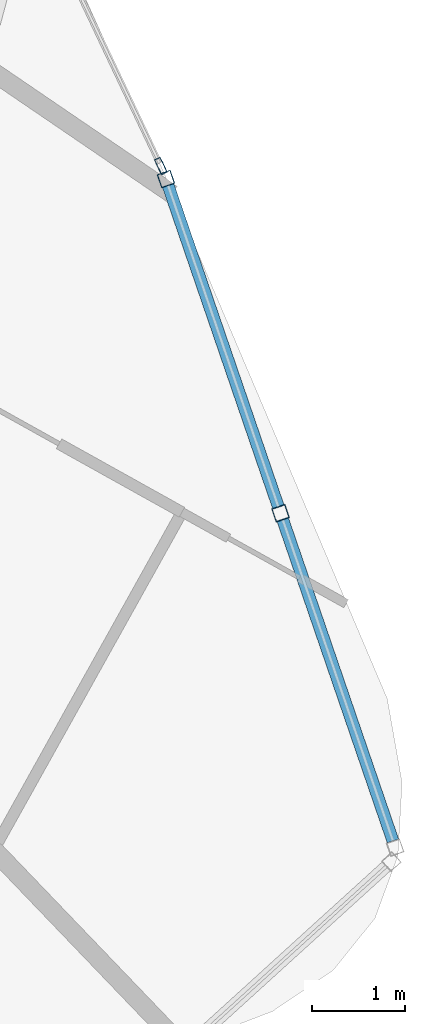
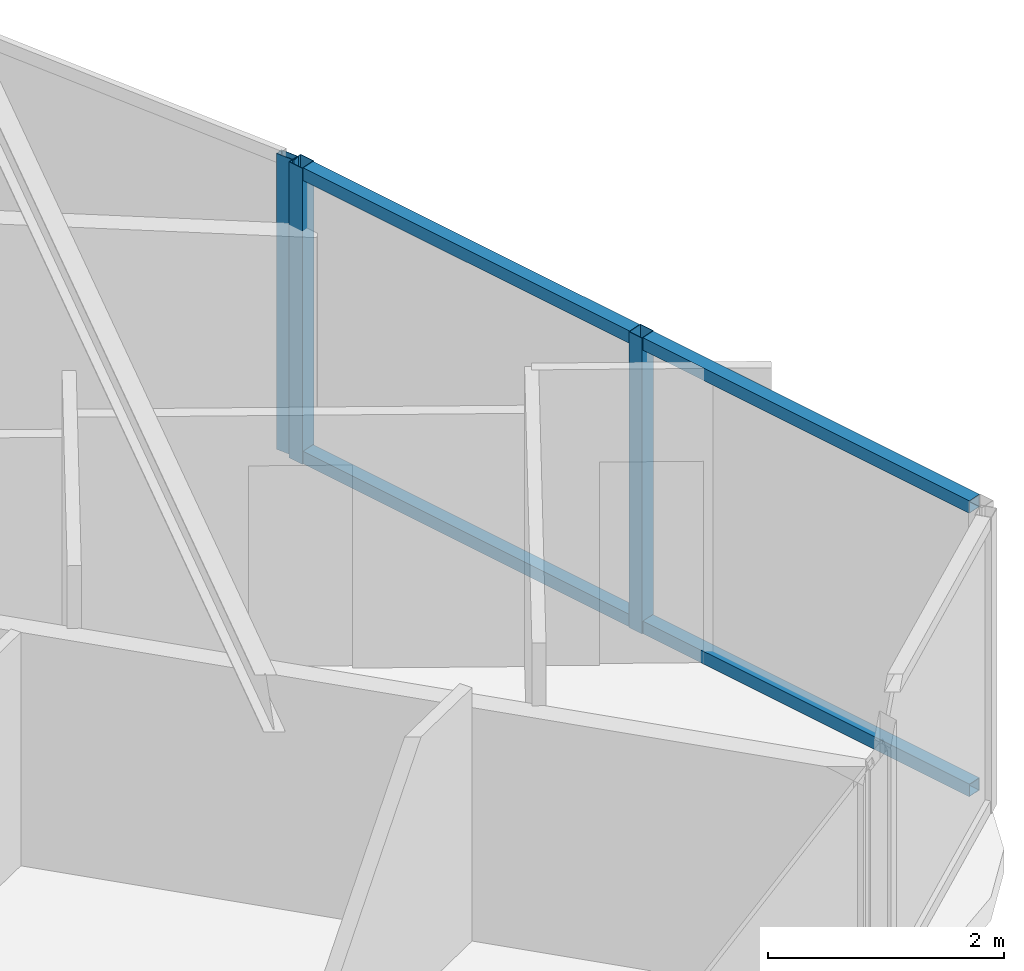
# One storey, part 16 of 34: 7 members, 2 elements without a shape of their own.
"""IFC4 building model written with IfcOpenShell, lengths in metres."""

from ifc_helpers import new_model, si_unit, direction, frame, origin, origin_2d, place, context, subcontext, project, spatial, hollow_rectangle, extrude, material, layer, layer_set, material_profile, profile_set, type_object, element, aggregate, save


model = new_model("IFC4")

# Units and contexts
model_context = context("Model", 3, precision=1e-05, world=origin(), true_north=direction((0.0, 1.0)))
body_context = subcontext(model_context, "Body", "Model", "MODEL_VIEW")
ifc_project = project(units=[si_unit("LENGTHUNIT", "METRE"), si_unit("AREAUNIT", "SQUARE_METRE"), si_unit("VOLUMEUNIT", "CUBIC_METRE"), si_unit("PLANEANGLEUNIT", "RADIAN"), si_unit("MASSUNIT", "GRAM", prefix="KILO")], contexts=[model_context])

# Site, building, storey
site_placement = place(None, origin())
site = spatial("IfcSite", under=ifc_project, at=site_placement, CompositionType="ELEMENT")
building_placement = place(site_placement, origin())
building = spatial("IfcBuilding", under=site, at=building_placement, Name="Orvanel Arch Residences", CompositionType="ELEMENT")
storey_placement = place(building_placement, frame((0.0, 0.0, 77.449951171875)))
storey = spatial("IfcBuildingStorey", under=building, at=storey_placement, Name="L21", CompositionType="ELEMENT", Elevation=77.449951171875)

# Curtain wall, members
ifc_material = material(Name="Bronze-anodised aluminium AA6063-T6", Category="aluminium")
ifc_layer_1 = layer(ifc_material, 0.18994140625)
ifc_layer_set_1 = layer_set([ifc_layer_1], Name="Bronze-anodised aluminium AA6063-T6")
curtain_wall_type_1 = type_object("IfcCurtainWallType", Name="CW5-CRN-SYS", PredefinedType="NOTDEFINED", material=ifc_layer_set_1)
curtain_wall_1_placement = place(storey_placement, origin())
curtain_wall_1 = element("IfcCurtainWall", 1, at=curtain_wall_1_placement, inside=storey, type_object=curtain_wall_type_1, Name="L21 CW5-CRN-SYS Unitised Curtain Wall", PredefinedType="NOTDEFINED")
ifc_material_profile_1 = material_profile(ifc_material, hollow_rectangle(XDim=0.14990234375, YDim=0.14990234375, WallThickness=0.0048828125, at=origin_2d()), Name="ALU150x150x5")
ifc_profile_set_1 = profile_set([ifc_material_profile_1], Name="Bronze-anodised aluminium AA6063-T6")
member_type_1 = type_object("IfcMemberType", Name="MUL-150x150", PredefinedType="MULLION", material=ifc_profile_set_1)
member_1_placement = place(storey_placement, frame((59.3359375, 9.900390625, 0.0), z_axis=(0.0, 0.0, 1.0), x_axis=(-0.945912167236, -0.324422828844, 0.0)))
member_1 = element("IfcMember", 2, at=member_1_placement, type_object=member_type_1, Name="CW-S5 mullion 2", PredefinedType="MULLION", context=body_context, shape_type="SweptSolid", body=[
    extrude(hollow_rectangle(XDim=0.14990234375, YDim=0.14990234375, WallThickness=0.0048828125, at=origin_2d()), origin(), (0.0, 0.0, 1.0), 3.06005859375),
])
member_2_placement = place(storey_placement, frame((58.097412109375, 13.511962890625, 0.0), z_axis=(0.0, 0.0, 1.0), x_axis=(-0.945912167236, -0.324422828844, 0.0)))
member_2 = element("IfcMember", 3, at=member_2_placement, type_object=member_type_1, Name="CW-S5 mullion 3", PredefinedType="MULLION", context=body_context, shape_type="SweptSolid", body=[
    extrude(hollow_rectangle(XDim=0.14990234375, YDim=0.14990234375, WallThickness=0.0048828125, at=origin_2d()), origin(), (0.0, 0.0, 1.0), 3.06005859375),
])

# Curtain wall, member
ifc_layer_2 = layer(ifc_material, 0.179931640625)
ifc_layer_set_2 = layer_set([ifc_layer_2], Name="Bronze-anodised aluminium AA6063-T6")
curtain_wall_type_2 = type_object("IfcCurtainWallType", Name="CW2-LOW-SYS", PredefinedType="NOTDEFINED", material=ifc_layer_set_2)
curtain_wall_2_placement = place(storey_placement, origin())
curtain_wall_2 = element("IfcCurtainWall", 4, at=curtain_wall_2_placement, inside=storey, type_object=curtain_wall_type_2, Name="L21 CW2-LOW-SYS Unitised Curtain Wall", PredefinedType="NOTDEFINED")
ifc_material_profile_2 = material_profile(ifc_material, hollow_rectangle(XDim=0.070068359375, YDim=0.179931640625, WallThickness=0.00439453125, at=origin_2d()), Name="ALU180x70x4.5")
ifc_profile_set_2 = profile_set([ifc_material_profile_2], Name="Bronze-anodised aluminium AA6063-T6")
member_type_2 = type_object("IfcMemberType", Name="MUL-180x70", PredefinedType="MULLION", material=ifc_profile_set_2)
member_3_placement = place(storey_placement, frame((58.04296875, 13.651611328125, 0.0), z_axis=(0.0, 0.0, 1.0), x_axis=(-0.903971140213, -0.427593472426, 0.0)))
member_3 = element("IfcMember", 5, at=member_3_placement, type_object=member_type_2, Name="CW-S2 mullion 1", PredefinedType="MULLION", context=body_context, shape_type="SweptSolid", body=[
    extrude(hollow_rectangle(XDim=0.070068359375, YDim=0.179931640625, WallThickness=0.00439453125, at=origin_2d()), origin(), (0.0, 0.0, 1.0), 3.06005859375),
])
aggregate(curtain_wall_2, [member_3])

# Member
ifc_material_profile_3 = material_profile(ifc_material, hollow_rectangle(XDim=0.1298828125, YDim=0.1298828125, WallThickness=0.00439453125, at=origin_2d()), Name="ALU130x130x4.5")
ifc_profile_set_3 = profile_set([ifc_material_profile_3], Name="Bronze-anodised aluminium AA6063-T6")
member_type_3 = type_object("IfcMemberType", Name="TRN-130x130", PredefinedType="USERDEFINED", material=ifc_profile_set_3)
member_4_placement = place(storey_placement, frame((60.55029296875, 6.35986328125, 0.06494140625), z_axis=(-0.324402597881, 0.945919105679, 0.0), x_axis=(-0.945919105679, -0.324402597881, 0.0)))
member_4 = element("IfcMember", 6, at=member_4_placement, type_object=member_type_3, Name="CW-S5 transom 1.1", ObjectType="TRANSOM", PredefinedType="USERDEFINED", context=body_context, shape_type="SweptSolid", body=[
    extrude(hollow_rectangle(XDim=0.1298828125, YDim=0.1298828125, WallThickness=0.00439453125, at=origin_2d()), origin(), (0.0, 0.0, 1.0), 3.668212890625),
])

member_5_placement = place(storey_placement, frame((60.55029296875, 6.35986328125, 2.9951171875), z_axis=(-0.324402597881, 0.945919105679, 0.0), x_axis=(-0.945919105679, -0.324402597881, 0.0)))
member_5 = element("IfcMember", 7, at=member_5_placement, type_object=member_type_3, Name="CW-S5 transom 1.2", ObjectType="TRANSOM", PredefinedType="USERDEFINED", context=body_context, shape_type="SweptSolid", body=[
    extrude(hollow_rectangle(XDim=0.1298828125, YDim=0.1298828125, WallThickness=0.00439453125, at=origin_2d()), origin(), (0.0, 0.0, 1.0), 3.668212890625),
])

member_6_placement = place(storey_placement, frame((59.311767578125, 9.971435546875, 0.06494140625), z_axis=(-0.324462149384, 0.945898680418, 0.0), x_axis=(-0.945898680418, -0.324462149384, 0.0)))
member_6 = element("IfcMember", 8, at=member_6_placement, type_object=member_type_3, Name="CW-S5 transom 2.1", ObjectType="TRANSOM", PredefinedType="USERDEFINED", context=body_context, shape_type="SweptSolid", body=[
    extrude(hollow_rectangle(XDim=0.1298828125, YDim=0.1298828125, WallThickness=0.00439453125, at=origin_2d()), origin(), (0.0, 0.0, 1.0), 3.668212890625),
])

member_7_placement = place(storey_placement, frame((59.311767578125, 9.971435546875, 2.9951171875), z_axis=(-0.324462149384, 0.945898680418, 0.0), x_axis=(-0.945898680418, -0.324462149384, 0.0)))
member_7 = element("IfcMember", 9, at=member_7_placement, type_object=member_type_3, Name="CW-S5 transom 2.2", ObjectType="TRANSOM", PredefinedType="USERDEFINED", context=body_context, shape_type="SweptSolid", body=[
    extrude(hollow_rectangle(XDim=0.1298828125, YDim=0.1298828125, WallThickness=0.00439453125, at=origin_2d()), origin(), (0.0, 0.0, 1.0), 3.668212890625),
])

aggregate(curtain_wall_1, [member_1, member_2, member_4, member_5, member_6, member_7])

save(model, "model.ifc")
